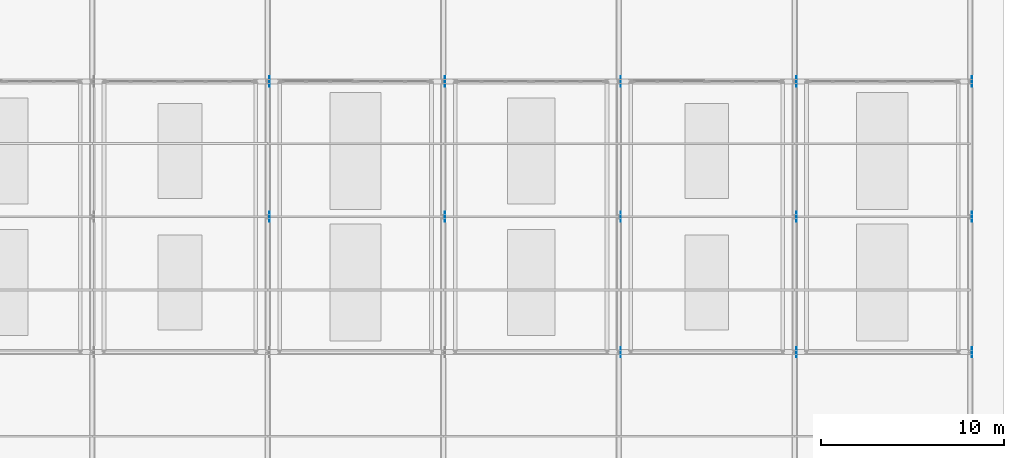
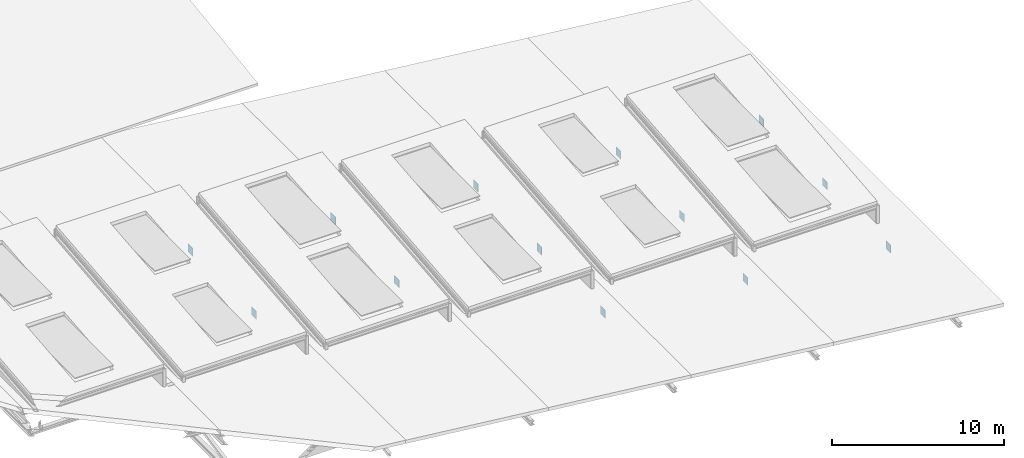
# One storey, part 29 of 30: 13 plates.
"""IFC4 building model written with IfcOpenShell, lengths in metres."""

from ifc_helpers import new_model, si_unit, direction, frame, origin, origin_2d, place, context, subcontext, project, spatial, rectangle, extrude, material, layer, layer_set, type_object, element, save


model = new_model("IFC4")

# Units and contexts
model_context = context("Model", 3, precision=1e-05, world=origin(), true_north=direction((0.0, 1.0)))
body_context = subcontext(model_context, "Body", "Model", "MODEL_VIEW")
ifc_project = project(units=[si_unit("LENGTHUNIT", "METRE"), si_unit("AREAUNIT", "SQUARE_METRE"), si_unit("VOLUMEUNIT", "CUBIC_METRE"), si_unit("PLANEANGLEUNIT", "RADIAN"), si_unit("MASSUNIT", "GRAM", prefix="KILO")], contexts=[model_context])

# Site, building, storey
site_placement = place(None, origin())
site = spatial("IfcSite", under=ifc_project, at=site_placement, CompositionType="ELEMENT")
building_placement = place(site_placement, origin())
building = spatial("IfcBuilding", under=site, at=building_placement, Name="Alderhovde Museum", CompositionType="ELEMENT")
storey_placement = place(building_placement, frame((0.0, 0.0, 30.699951171875)))
storey = spatial("IfcBuildingStorey", under=building, at=storey_placement, Name="RF", CompositionType="ELEMENT", Elevation=30.699951171875)

# Plates
ifc_material = material(Name="Steel S355J2", Category="steel")
ifc_layer = layer(ifc_material, 0.02197265625)
ifc_layer_set = layer_set([ifc_layer], Name="Steel S355J2")
plate_type = type_object("IfcPlateType", Name="PLT-GUSSET-22", PredefinedType="USERDEFINED", material=ifc_layer_set)
for number, where, z_axis, x_axis, name in (
    (1, (38.5, 64.0, -5.43994140625), (0.0, 0.0, 1.0), (1.0, 0.0, 0.0), "Sawtooth Truss Gusset Plate X=38.4-2"),
    (2, (38.5, 71.39990234375, -5.43994140625), (0.0, 0.0, 1.0), (1.0, 0.0, 0.0), "Sawtooth Truss Gusset Plate X=38.4-3"),
    (3, (48.10009765625, 64.0, -6.56494140625), (0.0, 0.0, 1.0), (1.0, 0.0, 0.0), "Sawtooth Truss Gusset Plate X=48.0-2"),
    (4, (48.10009765625, 71.39990234375, -6.56494140625), (0.0, 0.0, 1.0), (1.0, 0.0, 0.0), "Sawtooth Truss Gusset Plate X=48.0-3"),
    (5, (57.699951171875, 56.60009765625, -7.603271484375), (0.0, 0.0, 1.0), (1.0, 0.0, 0.0), "Sawtooth Truss Gusset Plate X=57.6-1"),
    (6, (57.699951171875, 64.0, -7.603271484375), (0.0, 0.0, 1.0), (1.0, 0.0, 0.0), "Sawtooth Truss Gusset Plate X=57.6-2"),
    (7, (57.699951171875, 71.39990234375, -7.603271484375), (0.0, 0.0, 1.0), (1.0, 0.0, 0.0), "Sawtooth Truss Gusset Plate X=57.6-3"),
    (8, (67.300048828125, 56.60009765625, -8.6416015625), (0.0, 0.0, 1.0), (1.0, 0.0, 0.0), "Sawtooth Truss Gusset Plate X=67.2-1"),
    (9, (67.300048828125, 64.0, -8.6416015625), (0.0, 0.0, 1.0), (1.0, 0.0, 0.0), "Sawtooth Truss Gusset Plate X=67.2-2"),
    (10, (67.300048828125, 71.39990234375, -8.6416015625), (0.0, 0.0, 1.0), (1.0, 0.0, 0.0), "Sawtooth Truss Gusset Plate X=67.2-3"),
    (11, (76.89990234375, 56.60009765625, -9.679931640625), (0.0, 0.0, 1.0), (1.0, 0.0, 0.0), "Sawtooth Truss Gusset Plate X=76.8-1"),
    (12, (76.89990234375, 64.0, -9.679931640625), (0.0, 0.0, 1.0), (1.0, 0.0, 0.0), "Sawtooth Truss Gusset Plate X=76.8-2"),
    (13, (76.89990234375, 71.39990234375, -9.679931640625), (0.0, 0.0, 1.0), (1.0, 0.0, 0.0), "Sawtooth Truss Gusset Plate X=76.8-3"),
):
    element("IfcPlate", number, at=place(storey_placement, frame(where, z_axis=z_axis, x_axis=x_axis)), inside=storey, type_object=plate_type, Name=name, ObjectType="GUSSET PLATE", PredefinedType="USERDEFINED", context=body_context, shape_type="SweptSolid", body=[
        extrude(rectangle(XDim=0.02197265625, YDim=0.56005859375, at=origin_2d()), origin(), (0.0, 0.0, 1.0), 0.56005859375),
    ])

save(model, "model.ifc")
